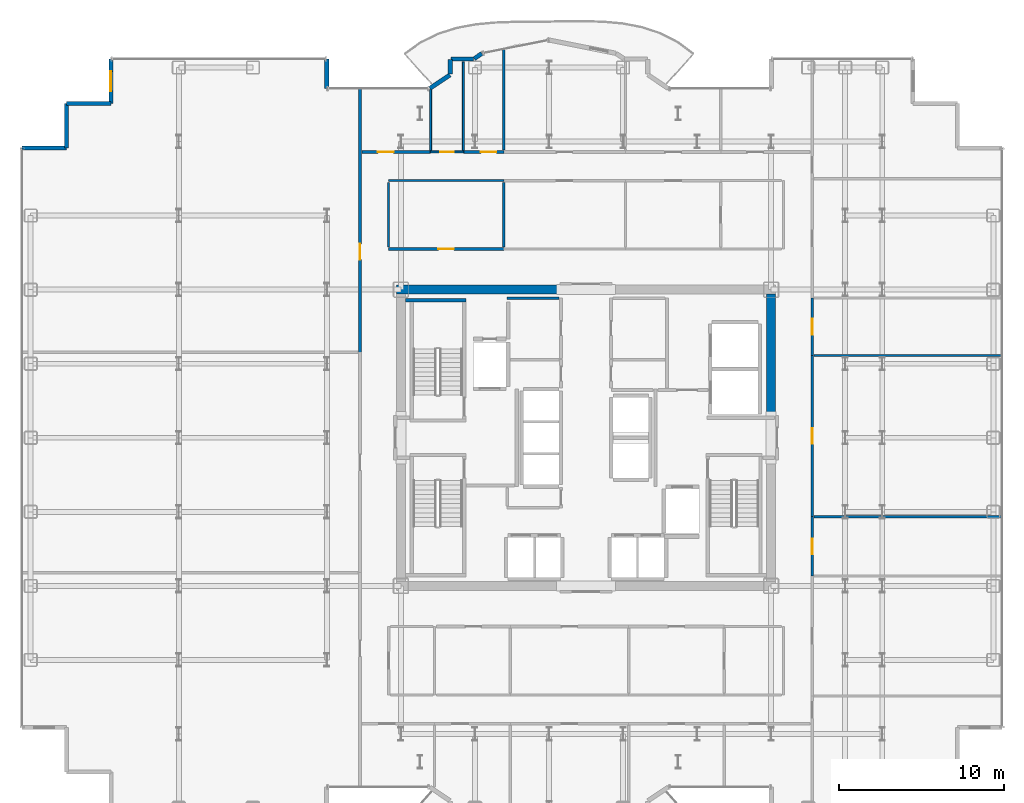
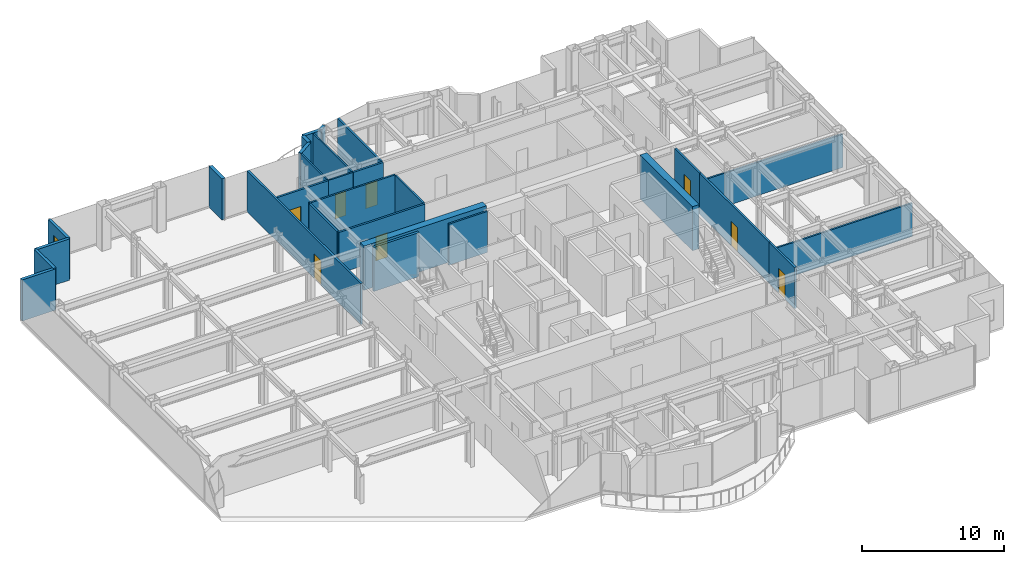
# One storey, part 19 of 23: 29 walls, 8 doors, 1 window, 9 openings.
"""IFC4 building model written with IfcOpenShell, lengths in metres."""

from ifc_helpers import new_model, si_unit, direction, frame, frame_2d, origin, place, context, subcontext, project, spatial, rectangle, extrude, source, transform, mapped, material, layer, layer_set, type_object, element, fill, save


model = new_model("IFC4")

# Units and contexts
model_context = context("Model", 3, precision=1e-05, world=origin(), true_north=direction((0.0, 1.0)))
body_context = subcontext(model_context, "Body", "Model", "MODEL_VIEW")
ifc_project = project(units=[si_unit("LENGTHUNIT", "METRE"), si_unit("AREAUNIT", "SQUARE_METRE"), si_unit("VOLUMEUNIT", "CUBIC_METRE"), si_unit("PLANEANGLEUNIT", "RADIAN"), si_unit("MASSUNIT", "GRAM", prefix="KILO")], contexts=[model_context])

# Site, building, storey
site_placement = place(None, origin())
site = spatial("IfcSite", under=ifc_project, at=site_placement, CompositionType="ELEMENT")
building_placement = place(site_placement, origin())
building = spatial("IfcBuilding", under=site, at=building_placement, Name="Nefas-Gora Pilgrimage Tower", CompositionType="ELEMENT")
storey_placement = place(building_placement, frame((0.0, 0.0, 156.39990234375)))
storey = spatial("IfcBuildingStorey", under=building, at=storey_placement, Name="L38", CompositionType="ELEMENT", Elevation=156.39990234375)

# Walls
ifc_material_1 = material(Name="Concrete C60/75", Category="concrete")
ifc_layer_1 = layer(ifc_material_1, 0.550048828125)
ifc_layer_set_1 = layer_set([ifc_layer_1], Name="Concrete C60/75")
wall_type_1 = type_object("IfcWallType", Name="SW-CORE-550", PredefinedType="SHEAR", material=ifc_layer_set_1)
shared_shape_1 = source(origin(), body_context, "Body", "SweptSolid", [
    extrude(rectangle(XDim=9.974853515625, YDim=0.550048828125, at=frame_2d((4.9873046875, 0.0))), origin(), (0.0, 0.0, 1.0), 3.800048828125),
])
wall_1_placement = place(storey_placement, frame((-11.52490234375, 9.0, 0.0), z_axis=(0.0, 0.0, 1.0), x_axis=(1.0, 0.0, 0.0)))
element("IfcWall", 1, at=wall_1_placement, inside=storey, type_object=wall_type_1, Name="L38 Core Shear Wall N-West", PredefinedType="SHEAR", context=body_context, shape_type="MappedRepresentation", body=[
    mapped(shared_shape_1, transform((0.0, 0.0, 0.0), x_axis=(1.0, 0.0, 0.0), y_axis=(0.0, 1.0, 0.0), z_axis=(0.0, 0.0, 1.0), scale=1.0)),
])
shared_shape_2 = source(origin(), body_context, "Body", "SweptSolid", [
    extrude(rectangle(XDim=7.375, YDim=0.550048828125, at=frame_2d((3.6875, 0.0))), origin(), (0.0, 0.0, 1.0), 3.800048828125),
])
wall_2_placement = place(storey_placement, frame((11.25, 1.35009765625, 0.0), z_axis=(0.0, 0.0, 1.0), x_axis=(0.0, 1.0, 0.0)))
element("IfcWall", 2, at=wall_2_placement, inside=storey, type_object=wall_type_1, Name="L38 Core Shear Wall E-North", PredefinedType="SHEAR", context=body_context, shape_type="MappedRepresentation", body=[
    mapped(shared_shape_2, transform((0.0, 0.0, 0.0), x_axis=(1.0, 0.0, 0.0), y_axis=(0.0, 1.0, 0.0), z_axis=(0.0, 0.0, 1.0), scale=1.0)),
])
ifc_material_2 = material(Name="Precast concrete C40/50", Category="concrete")
ifc_layer_2 = layer(ifc_material_2, 0.260009765625)
ifc_layer_set_2 = layer_set([ifc_layer_2], Name="Precast concrete C40/50")
wall_type_2 = type_object("IfcWallType", Name="EW-PORTAL-260", PredefinedType="SOLIDWALL", material=ifc_layer_set_2)
shared_shape_3 = source(origin(), body_context, "Body", "SweptSolid", [
    extrude(rectangle(XDim=1.800048828125, YDim=0.260009765625, at=frame_2d((0.89990234375, 0.0))), origin(), (0.0, 0.0, 1.0), 3.550048828125),
])
wall_3_placement = place(storey_placement, frame((-15.75, 21.219970703125, 0.0), z_axis=(0.0, 0.0, 1.0), x_axis=(0.0, 1.0, 0.0)))
element("IfcWall", 3, at=wall_3_placement, inside=storey, type_object=wall_type_2, Name="L38 Lobe Shoulder Precast Spandrel Pier 20", PredefinedType="SOLIDWALL", context=body_context, shape_type="MappedRepresentation", body=[
    mapped(shared_shape_3, transform((0.0, 0.0, 0.0), x_axis=(1.0, 0.0, 0.0), y_axis=(0.0, 1.0, 0.0), z_axis=(0.0, 0.0, 1.0), scale=1.0)),
])

# Wall, opening, window
ifc_material_3 = material(Name="Precast concrete C45/55", Category="concrete")
ifc_layer_3 = layer(ifc_material_3, 0.239990234375)
ifc_layer_set_3 = layer_set([ifc_layer_3], Name="Precast concrete C45/55")
wall_type_3 = type_object("IfcWallType", Name="EW-SERR-240", PredefinedType="SHEAR", material=ifc_layer_set_3)
shared_shape_4 = source(origin(), body_context, "Body", "SweptSolid", [
    extrude(rectangle(XDim=2.699951171875, YDim=0.239990234375, at=frame_2d((1.35009765625, 0.0))), origin(), (0.0, 0.0, 1.0), 3.550048828125),
])
wall_4_placement = place(storey_placement, frame((-28.8701171875, 23.02001953125, 0.0), z_axis=(0.0, 0.0, 1.0), x_axis=(0.0, -1.0, 0.0)))
wall_4 = element("IfcWall", 4, at=wall_4_placement, inside=storey, type_object=wall_type_3, Name="L38 Serrated Corner Shear Pier Wall 21", PredefinedType="SHEAR", context=body_context, shape_type="MappedRepresentation", body=[
    mapped(shared_shape_4, transform((0.0, 0.0, 0.0), x_axis=(1.0, 0.0, 0.0), y_axis=(0.0, 1.0, 0.0), z_axis=(0.0, 0.0, 1.0), scale=1.0)),
])
opening_1_placement = place(wall_4_placement, frame((0.75, 0.0, 0.85009765625)))
opening_1 = element("IfcOpeningElement", 5, at=opening_1_placement, cuts=wall_4, Name="Opening W-V1", PredefinedType="OPENING", context=body_context, shape_type="SweptSolid", body=[
    extrude(rectangle(XDim=1.199951171875, YDim=1.800048828125, at=frame_2d((0.60009765625, 0.89990234375))), frame((0.0, 0.1298828125, 0.0), z_axis=(0.0, -1.0, 0.0), x_axis=(1.0, 0.0, 0.0)), (0.0, 0.0, 1.0), 0.260009765625),
])
ifc_material_4 = material(Name="Dark ceramic-fritted operable aluminium-glass window", Category="aluminium")
window_type = type_object("IfcWindowType", Name="WIN-VENT-1200x1800", PartitioningType="SINGLE_PANEL", PredefinedType="WINDOW", material=ifc_material_4)
shared_shape_5 = source(origin(), body_context, "Body", "SweptSolid", [
    extrude(rectangle(XDim=1.199951171875, YDim=1.800048828125, at=frame_2d((0.60009765625, 0.89990234375))), frame((0.0, 0.030029296875, 0.0), z_axis=(0.0, -1.0, 0.0), x_axis=(1.0, 0.0, 0.0)), (0.0, 0.0, 1.0), 0.06005859375),
])
window_placement = place(opening_1_placement, origin())
window = element("IfcWindow", 6, at=window_placement, inside=storey, type_object=window_type, Name="L38 Operable Parallel-Outswing Window 21", OverallHeight=1.800048828125, OverallWidth=1.199951171875, PartitioningType="SINGLE_PANEL", PredefinedType="WINDOW", context=body_context, shape_type="MappedRepresentation", body=[
    mapped(shared_shape_5, transform((0.0, 0.0, 0.0), x_axis=(1.0, 0.0, 0.0), y_axis=(0.0, 1.0, 0.0), z_axis=(0.0, 0.0, 1.0), scale=1.0)),
])
fill(opening_1, window)

# Walls
for number, where, z_axis, x_axis, name in (
    (7, (-28.8701171875, 20.320068359375, 0.0), (0.0, 0.0, 1.0), (-1.0, 0.0, 0.0), "L38 Serrated Corner Shear Pier Wall 22"),
    (8, (-31.570068359375, 20.320068359375, 0.0), (0.0, 0.0, 1.0), (0.0, -1.0, 0.0), "L38 Serrated Corner Shear Pier Wall 23"),
    (9, (-31.570068359375, 17.6201171875, 0.0), (0.0, 0.0, 1.0), (-1.0, 0.0, 0.0), "L38 Serrated Corner Shear Pier Wall 24"),
):
    element("IfcWall", number, at=place(storey_placement, frame(where, z_axis=z_axis, x_axis=x_axis)), inside=storey, type_object=wall_type_3, Name=name, PredefinedType="SHEAR", context=body_context, shape_type="MappedRepresentation", body=[
        mapped(shared_shape_4, transform((0.0, 0.0, 0.0), x_axis=(1.0, 0.0, 0.0), y_axis=(0.0, 1.0, 0.0), z_axis=(0.0, 0.0, 1.0), scale=1.0)),
    ])
shared_shape_6 = source(origin(), body_context, "Body", "SweptSolid", [
    extrude(rectangle(XDim=1.468994140625, YDim=0.260009765625, at=frame_2d((0.734375, 0.0))), origin(), (0.0, 0.0, 1.0), 3.550048828125),
])
wall_5_placement = place(storey_placement, frame((-8.273193359375, 22.0517578125, 0.0), z_axis=(0.0, 0.0, 1.0), x_axis=(-0.831461760506, -0.555581983884, 0.0)))
element("IfcWall", 10, at=wall_5_placement, inside=storey, type_object=wall_type_2, Name="L38 Lobe Shoulder Precast Spandrel Pier 19", PredefinedType="SOLIDWALL", context=body_context, shape_type="MappedRepresentation", body=[
    mapped(shared_shape_6, transform((0.0, 0.0, 0.0), x_axis=(1.0, 0.0, 0.0), y_axis=(0.0, 1.0, 0.0), z_axis=(0.0, 0.0, 1.0), scale=1.0)),
])
shared_shape_7 = source(origin(), body_context, "Body", "SweptSolid", [
    extrude(rectangle(XDim=0.896728515625, YDim=0.260009765625, at=frame_2d((0.4482421875, 0.0))), origin(), (0.0, 0.0, 1.0), 3.550048828125),
])
wall_6_placement = place(storey_placement, frame((-8.25, 22.991943359375, 0.0), z_axis=(0.0, 0.0, 1.0), x_axis=(0.0, -1.0, 0.0)))
element("IfcWall", 11, at=wall_6_placement, inside=storey, type_object=wall_type_2, Name="L38 Lobe Shoulder Precast Spandrel Pier 18", PredefinedType="SOLIDWALL", context=body_context, shape_type="MappedRepresentation", body=[
    mapped(shared_shape_7, transform((0.0, 0.0, 0.0), x_axis=(1.0, 0.0, 0.0), y_axis=(0.0, 1.0, 0.0), z_axis=(0.0, 0.0, 1.0), scale=1.0)),
])
shared_shape_8 = source(origin(), body_context, "Body", "SweptSolid", [
    extrude(rectangle(XDim=1.369873046875, YDim=0.260009765625, at=frame_2d((0.68505859375, 0.0))), origin(), (0.0, 0.0, 1.0), 3.550048828125),
])
wall_7_placement = place(storey_placement, frame((-6.85205078125, 23.02001953125, 0.0), z_axis=(0.0, 0.0, 1.0), x_axis=(-1.0, 0.0, 0.0)))
element("IfcWall", 12, at=wall_7_placement, inside=storey, type_object=wall_type_2, Name="L38 Lobe Shoulder Precast Spandrel Pier 17", PredefinedType="SOLIDWALL", context=body_context, shape_type="MappedRepresentation", body=[
    mapped(shared_shape_8, transform((0.0, 0.0, 0.0), x_axis=(1.0, 0.0, 0.0), y_axis=(0.0, 1.0, 0.0), z_axis=(0.0, 0.0, 1.0), scale=1.0)),
])
shared_shape_9 = source(origin(), body_context, "Body", "SweptSolid", [
    extrude(rectangle(XDim=0.5654296875, YDim=0.260009765625, at=frame_2d((0.28271484375, 0.0))), origin(), (0.0, 0.0, 1.0), 3.550048828125),
])
wall_8_placement = place(storey_placement, frame((-6.33056640625, 23.349609375, 0.0), z_axis=(0.0, 0.0, 1.0), x_axis=(-0.831651492666, -0.555297933317, 0.0)))
element("IfcWall", 13, at=wall_8_placement, inside=storey, type_object=wall_type_2, Name="L38 Lobe Shoulder Precast Spandrel Pier 16", PredefinedType="SOLIDWALL", context=body_context, shape_type="MappedRepresentation", body=[
    mapped(shared_shape_9, transform((0.0, 0.0, 0.0), x_axis=(1.0, 0.0, 0.0), y_axis=(0.0, 1.0, 0.0), z_axis=(0.0, 0.0, 1.0), scale=1.0)),
])
ifc_material_5 = material(Name="Concrete C45/55", Category="concrete")
ifc_layer_4 = layer(ifc_material_5, 0.199951171875)
ifc_layer_set_4 = layer_set([ifc_layer_4], Name="Concrete C45/55")
wall_type_4 = type_object("IfcWallType", Name="IW-STAIR-200", PredefinedType="SOLIDWALL", material=ifc_layer_set_4)
shared_shape_10 = source(origin(), body_context, "Body", "SweptSolid", [
    extrude(rectangle(XDim=3.679931640625, YDim=0.199951171875, at=frame_2d((1.83984375, 0.0))), origin(), (0.0, 0.0, 1.0), 3.800048828125),
])
wall_9_placement = place(storey_placement, frame((-7.300048828125, 8.35009765625, 0.0), z_axis=(0.0, 0.0, 1.0), x_axis=(-1.0, 0.0, 0.0)))
element("IfcWall", 14, at=wall_9_placement, inside=storey, type_object=wall_type_4, Name="L38 Stairwell Shear Wall ST-01-far", PredefinedType="SOLIDWALL", context=body_context, shape_type="MappedRepresentation", body=[
    mapped(shared_shape_10, transform((0.0, 0.0, 0.0), x_axis=(1.0, 0.0, 0.0), y_axis=(0.0, 1.0, 0.0), z_axis=(0.0, 0.0, 1.0), scale=1.0)),
])
ifc_material_6 = material(Name="Gypsum twin-stud partition")
ifc_layer_5 = layer(ifc_material_6, 0.139892578125)
ifc_layer_set_5 = layer_set([ifc_layer_5], Name="Gypsum twin-stud partition")
wall_type_5 = type_object("IfcWallType", Name="IW-UNIT-140", PredefinedType="PARTITIONING", material=ifc_layer_set_5)
shared_shape_11 = source(origin(), body_context, "Body", "SweptSolid", [
    extrude(rectangle(XDim=3.150146484375, YDim=0.139892578125, at=frame_2d((1.5751953125, 0.0))), origin(), (0.0, 0.0, 1.0), 3.53515625),
])
wall_10_placement = place(storey_placement, frame((-4.7900390625, 8.47998046875, 0.0), z_axis=(0.0, 0.0, 1.0), x_axis=(1.0, 0.0, 0.0)))
element("IfcWall", 15, at=wall_10_placement, inside=storey, type_object=wall_type_5, Name="L38 Archival Supply Store Partition Wall 21", PredefinedType="PARTITIONING", context=body_context, shape_type="MappedRepresentation", body=[
    mapped(shared_shape_11, transform((0.0, 0.0, 0.0), x_axis=(1.0, 0.0, 0.0), y_axis=(0.0, 1.0, 0.0), z_axis=(0.0, 0.0, 1.0), scale=1.0)),
])

# Wall, opening, door
ifc_material_7 = material(Name="Moisture-resistant fire-rated gypsum partition")
ifc_layer_6 = layer(ifc_material_7, 0.1201171875)
ifc_layer_set_6 = layer_set([ifc_layer_6], Name="Moisture-resistant fire-rated gypsum partition")
wall_type_6 = type_object("IfcWallType", Name="IW-WET-120", PredefinedType="PLUMBINGWALL", material=ifc_layer_set_6)
shared_shape_12 = source(origin(), body_context, "Body", "SweptSolid", [
    extrude(rectangle(XDim=2.02001953125, YDim=0.1201171875, at=frame_2d((1.010009765625, 0.0))), origin(), (0.0, 0.0, 1.0), 3.53515625),
])
wall_11_placement = place(storey_placement, frame((-9.4599609375, 17.3701171875, 0.0), z_axis=(0.0, 0.0, 1.0), x_axis=(1.0, 0.0, 0.0)))
wall_11 = element("IfcWall", 16, at=wall_11_placement, inside=storey, type_object=wall_type_6, Name="L38 Accessible Unisex WC Partition Wall 29", PredefinedType="PLUMBINGWALL", context=body_context, shape_type="MappedRepresentation", body=[
    mapped(shared_shape_12, transform((0.0, 0.0, 0.0), x_axis=(1.0, 0.0, 0.0), y_axis=(0.0, 1.0, 0.0), z_axis=(0.0, 0.0, 1.0), scale=1.0)),
])
opening_2_placement = place(wall_11_placement, frame((0.5849609375, 0.0, 0.0)))
opening_2 = element("IfcOpeningElement", 17, at=opening_2_placement, cuts=wall_11, Name="Opening ID-BT1", PredefinedType="OPENING", context=body_context, shape_type="SweptSolid", body=[
    extrude(rectangle(XDim=0.85009765625, YDim=2.10009765625, at=frame_2d((0.425048828125, 1.050048828125))), frame((0.0, 0.070068359375, 0.0), z_axis=(0.0, -1.0, 0.0), x_axis=(1.0, 0.0, 0.0)), (0.0, 0.0, 1.0), 0.14013671875),
])
ifc_material_8 = material(Name="Moisture-resistant fire-rated timber door", Category="wood")
door_type_1 = type_object("IfcDoorType", Name="DR-INT-BATH-850", OperationType="NOTDEFINED", PredefinedType="DOOR", material=ifc_material_8)
shared_shape_13 = source(origin(), body_context, "Body", "SweptSolid", [
    extrude(rectangle(XDim=0.85009765625, YDim=2.10009765625, at=frame_2d((0.425048828125, 1.050048828125))), frame((0.0, 0.02490234375, 0.0), z_axis=(0.0, -1.0, 0.0), x_axis=(1.0, 0.0, 0.0)), (0.0, 0.0, 1.0), 0.050048828125),
])
door_1_placement = place(opening_2_placement, origin())
door_1 = element("IfcDoor", 18, at=door_1_placement, inside=storey, type_object=door_type_1, Name="L38 Accessible Unisex WC Door 12", OperationType="SINGLE_SWING_RIGHT", OverallHeight=2.10009765625, OverallWidth=0.85009765625, PredefinedType="DOOR", context=body_context, shape_type="MappedRepresentation", body=[
    mapped(shared_shape_13, transform((0.0, 0.0, 0.0), x_axis=(1.0, 0.0, 0.0), y_axis=(0.0, 1.0, 0.0), z_axis=(0.0, 0.0, 1.0), scale=1.0)),
])
fill(opening_2, door_1)

ifc_material_9 = material(Name="Gypsum acoustic stud partition")
ifc_layer_7 = layer(ifc_material_9, 0.159912109375)
ifc_layer_set_7 = layer_set([ifc_layer_7], Name="Gypsum acoustic stud partition")
wall_type_7 = type_object("IfcWallType", Name="IW-CORR-160", PredefinedType="PARTITIONING", material=ifc_layer_set_7)
shared_shape_14 = source(origin(), body_context, "Body", "SweptSolid", [
    extrude(rectangle(XDim=3.610107421875, YDim=0.159912109375, at=frame_2d((1.80517578125, 0.0))), origin(), (0.0, 0.0, 1.0), 3.53515625),
])
wall_12_placement = place(storey_placement, frame((13.739990234375, -8.405029296875, 0.0), z_axis=(0.0, 0.0, 1.0), x_axis=(0.0, 1.0, 0.0)))
wall_12 = element("IfcWall", 19, at=wall_12_placement, inside=storey, type_object=wall_type_7, Name="L38 Pastoral Chaplains Counselling Office Partition Wall 41", PredefinedType="PARTITIONING", context=body_context, shape_type="MappedRepresentation", body=[
    mapped(shared_shape_14, transform((0.0, 0.0, 0.0), x_axis=(1.0, 0.0, 0.0), y_axis=(0.0, 1.0, 0.0), z_axis=(0.0, 0.0, 1.0), scale=1.0)),
])
opening_3_placement = place(wall_12_placement, frame((1.330078125, 0.0, 0.0)))
opening_3 = element("IfcOpeningElement", 20, at=opening_3_placement, cuts=wall_12, Name="Opening ID-GR1", PredefinedType="OPENING", context=body_context, shape_type="SweptSolid", body=[
    extrude(rectangle(XDim=0.949951171875, YDim=2.10009765625, at=frame_2d((0.47509765625, 1.050048828125))), frame((0.0, 0.08984375, 0.0), z_axis=(0.0, -1.0, 0.0), x_axis=(1.0, 0.0, 0.0)), (0.0, 0.0, 1.0), 0.179931640625),
])
ifc_material_10 = material(Name="Solid core oak fire-rated guest entrance door")
door_type_2 = type_object("IfcDoorType", Name="DR-INT-GUEST-950", OperationType="NOTDEFINED", PredefinedType="DOOR", material=ifc_material_10)
shared_shape_15 = source(origin(), body_context, "Body", "SweptSolid", [
    extrude(rectangle(XDim=0.949951171875, YDim=2.10009765625, at=frame_2d((0.47509765625, 1.050048828125))), frame((0.0, 0.02490234375, 0.0), z_axis=(0.0, -1.0, 0.0), x_axis=(1.0, 0.0, 0.0)), (0.0, 0.0, 1.0), 0.050048828125),
])
door_2_placement = place(opening_3_placement, origin())
door_2 = element("IfcDoor", 21, at=door_2_placement, inside=storey, type_object=door_type_2, Name="L38 Pastoral Chaplains Counselling Office Door 18", OperationType="SINGLE_SWING_RIGHT", OverallHeight=2.10009765625, OverallWidth=0.949951171875, PredefinedType="DOOR", context=body_context, shape_type="MappedRepresentation", body=[
    mapped(shared_shape_15, transform((0.0, 0.0, 0.0), x_axis=(1.0, 0.0, 0.0), y_axis=(0.0, 1.0, 0.0), z_axis=(0.0, 0.0, 1.0), scale=1.0)),
])
fill(opening_3, door_2)

# Walls
shared_shape_16 = source(origin(), body_context, "Body", "SweptSolid", [
    extrude(rectangle(XDim=11.429931640625, YDim=0.139892578125, at=frame_2d((5.71484375, 0.0))), origin(), (0.0, 0.0, 1.0), 2.875),
])
for number, where, z_axis, x_axis, name in (
    (22, (13.860107421875, -4.804931640625, 0.0), (0.0, 0.0, 1.0), (1.0, 0.0, 0.0), "L38 Pastoral Chaplains Counselling Office Partition Wall 42"),
    (23, (13.860107421875, 4.9951171875, 0.0), (0.0, 0.0, 1.0), (1.0, 0.0, 0.0), "L38 Pilgrim Contemplative Lounge Partition Wall 44"),
):
    element("IfcWall", number, at=place(storey_placement, frame(where, z_axis=z_axis, x_axis=x_axis)), inside=storey, type_object=wall_type_5, Name=name, PredefinedType="PARTITIONING", context=body_context, shape_type="MappedRepresentation", body=[
        mapped(shared_shape_16, transform((0.0, 0.0, 0.0), x_axis=(1.0, 0.0, 0.0), y_axis=(0.0, 1.0, 0.0), z_axis=(0.0, 0.0, 1.0), scale=1.0)),
    ])
shared_shape_17 = source(origin(), body_context, "Body", "SweptSolid", [
    extrude(rectangle(XDim=5.380126953125, YDim=0.1201171875, at=frame_2d((2.68994140625, 0.0))), origin(), (0.0, 0.0, 1.0), 3.53515625),
])
wall_13_placement = place(storey_placement, frame((-7.449951171875, 17.469970703125, 0.0), z_axis=(0.0, 0.0, 1.0), x_axis=(0.0, 1.0, 0.0)))
element("IfcWall", 24, at=wall_13_placement, inside=storey, type_object=wall_type_6, Name="L38 Accessible Unisex WC Partition Wall 30", PredefinedType="PLUMBINGWALL", context=body_context, shape_type="MappedRepresentation", body=[
    mapped(shared_shape_17, transform((0.0, 0.0, 0.0), x_axis=(1.0, 0.0, 0.0), y_axis=(0.0, 1.0, 0.0), z_axis=(0.0, 0.0, 1.0), scale=1.0)),
])
shared_shape_18 = source(origin(), body_context, "Body", "SweptSolid", [
    extrude(rectangle(XDim=3.686767578125, YDim=0.1201171875, at=frame_2d((1.84326171875, 0.0))), origin(), (0.0, 0.0, 1.0), 3.53515625),
])
wall_14_placement = place(storey_placement, frame((-9.449951171875, 17.469970703125, 0.0), z_axis=(0.0, 0.0, 1.0), x_axis=(0.0, 1.0, 0.0)))
element("IfcWall", 25, at=wall_14_placement, inside=storey, type_object=wall_type_6, Name="L38 Accessible Unisex WC Partition Wall 31", PredefinedType="PLUMBINGWALL", context=body_context, shape_type="MappedRepresentation", body=[
    mapped(shared_shape_18, transform((0.0, 0.0, 0.0), x_axis=(1.0, 0.0, 0.0), y_axis=(0.0, 1.0, 0.0), z_axis=(0.0, 0.0, 1.0), scale=1.0)),
])

# Wall, opening, door
shared_shape_19 = source(origin(), body_context, "Body", "SweptSolid", [
    extrude(rectangle(XDim=16.044921875, YDim=0.159912109375, at=frame_2d((8.0224609375, 0.0))), origin(), (0.0, 0.0, 1.0), 3.53515625),
])
wall_15_placement = place(storey_placement, frame((-13.739990234375, 5.195068359375, 0.0), z_axis=(0.0, 0.0, 1.0), x_axis=(0.0, 1.0, 0.0)))
wall_15 = element("IfcWall", 26, at=wall_15_placement, inside=storey, type_object=wall_type_7, Name="L38 Pilgrim Contemplative Lounge Partition Wall 36", PredefinedType="PARTITIONING", context=body_context, shape_type="MappedRepresentation", body=[
    mapped(shared_shape_19, transform((0.0, 0.0, 0.0), x_axis=(1.0, 0.0, 0.0), y_axis=(0.0, 1.0, 0.0), z_axis=(0.0, 0.0, 1.0), scale=1.0)),
])
opening_4_placement = place(wall_15_placement, frame((5.632568359375, 0.0, 0.0)))
opening_4 = element("IfcOpeningElement", 27, at=opening_4_placement, cuts=wall_15, Name="Opening ID-GR1", PredefinedType="OPENING", context=body_context, shape_type="SweptSolid", body=[
    extrude(rectangle(XDim=0.949951171875, YDim=2.10009765625, at=frame_2d((0.47509765625, 1.050048828125))), frame((0.0, 0.08984375, 0.0), z_axis=(0.0, -1.0, 0.0), x_axis=(1.0, 0.0, 0.0)), (0.0, 0.0, 1.0), 0.179931640625),
])
door_3_placement = place(opening_4_placement, origin())
door_3 = element("IfcDoor", 28, at=door_3_placement, inside=storey, type_object=door_type_2, Name="L38 Pilgrim Contemplative Lounge Door 15", OperationType="SINGLE_SWING_LEFT", OverallHeight=2.10009765625, OverallWidth=0.949951171875, PredefinedType="DOOR", context=body_context, shape_type="MappedRepresentation", body=[
    mapped(shared_shape_15, transform((0.0, 0.0, 0.0), x_axis=(1.0, 0.0, 0.0), y_axis=(0.0, 1.0, 0.0), z_axis=(0.0, 0.0, 1.0), scale=1.0)),
])
fill(opening_4, door_3)

shared_shape_20 = source(origin(), body_context, "Body", "SweptSolid", [
    extrude(rectangle(XDim=9.809814453125, YDim=0.159912109375, at=frame_2d((4.90478515625, 0.0))), origin(), (0.0, 0.0, 1.0), 3.53515625),
])
wall_16_placement = place(storey_placement, frame((13.739990234375, -4.804931640625, 0.0), z_axis=(0.0, 0.0, 1.0), x_axis=(0.0, 1.0, 0.0)))
wall_16 = element("IfcWall", 29, at=wall_16_placement, inside=storey, type_object=wall_type_7, Name="L38 Pilgrim Contemplative Lounge Partition Wall 43", PredefinedType="PARTITIONING", context=body_context, shape_type="MappedRepresentation", body=[
    mapped(shared_shape_20, transform((0.0, 0.0, 0.0), x_axis=(1.0, 0.0, 0.0), y_axis=(0.0, 1.0, 0.0), z_axis=(0.0, 0.0, 1.0), scale=1.0)),
])
opening_5_placement = place(wall_16_placement, frame((4.429931640625, 0.0, 0.0)))
opening_5 = element("IfcOpeningElement", 30, at=opening_5_placement, cuts=wall_16, Name="Opening ID-GR1", PredefinedType="OPENING", context=body_context, shape_type="SweptSolid", body=[
    extrude(rectangle(XDim=0.949951171875, YDim=2.10009765625, at=frame_2d((0.47509765625, 1.050048828125))), frame((0.0, 0.08984375, 0.0), z_axis=(0.0, -1.0, 0.0), x_axis=(1.0, 0.0, 0.0)), (0.0, 0.0, 1.0), 0.179931640625),
])
door_4_placement = place(opening_5_placement, origin())
door_4 = element("IfcDoor", 31, at=door_4_placement, inside=storey, type_object=door_type_2, Name="L38 Pilgrim Contemplative Lounge Door 19", OperationType="SINGLE_SWING_LEFT", OverallHeight=2.10009765625, OverallWidth=0.949951171875, PredefinedType="DOOR", context=body_context, shape_type="MappedRepresentation", body=[
    mapped(shared_shape_15, transform((0.0, 0.0, 0.0), x_axis=(1.0, 0.0, 0.0), y_axis=(0.0, 1.0, 0.0), z_axis=(0.0, 0.0, 1.0), scale=1.0)),
])
fill(opening_5, door_4)

shared_shape_21 = source(origin(), body_context, "Body", "SweptSolid", [
    extrude(rectangle(XDim=3.509765625, YDim=0.159912109375, at=frame_2d((1.7548828125, 0.0))), origin(), (0.0, 0.0, 1.0), 3.53515625),
])
wall_17_placement = place(storey_placement, frame((13.739990234375, 4.9951171875, 0.0), z_axis=(0.0, 0.0, 1.0), x_axis=(0.0, 1.0, 0.0)))
wall_17 = element("IfcWall", 32, at=wall_17_placement, inside=storey, type_object=wall_type_7, Name="L38 Scripture Reading Study Partition Wall 45", PredefinedType="PARTITIONING", context=body_context, shape_type="MappedRepresentation", body=[
    mapped(shared_shape_21, transform((0.0, 0.0, 0.0), x_axis=(1.0, 0.0, 0.0), y_axis=(0.0, 1.0, 0.0), z_axis=(0.0, 0.0, 1.0), scale=1.0)),
])
opening_6_placement = place(wall_17_placement, frame((1.280029296875, 0.0, 0.0)))
opening_6 = element("IfcOpeningElement", 33, at=opening_6_placement, cuts=wall_17, Name="Opening ID-GR1", PredefinedType="OPENING", context=body_context, shape_type="SweptSolid", body=[
    extrude(rectangle(XDim=0.949951171875, YDim=2.10009765625, at=frame_2d((0.47509765625, 1.050048828125))), frame((0.0, 0.08984375, 0.0), z_axis=(0.0, -1.0, 0.0), x_axis=(1.0, 0.0, 0.0)), (0.0, 0.0, 1.0), 0.179931640625),
])
door_5_placement = place(opening_6_placement, origin())
door_5 = element("IfcDoor", 34, at=door_5_placement, inside=storey, type_object=door_type_2, Name="L38 Scripture Reading Study Door 20", OperationType="SINGLE_SWING_RIGHT", OverallHeight=2.10009765625, OverallWidth=0.949951171875, PredefinedType="DOOR", context=body_context, shape_type="MappedRepresentation", body=[
    mapped(shared_shape_15, transform((0.0, 0.0, 0.0), x_axis=(1.0, 0.0, 0.0), y_axis=(0.0, 1.0, 0.0), z_axis=(0.0, 0.0, 1.0), scale=1.0)),
])
fill(opening_6, door_5)

shared_shape_22 = source(origin(), body_context, "Body", "SweptSolid", [
    extrude(rectangle(XDim=7.014892578125, YDim=0.159912109375, at=frame_2d((3.50732421875, 0.0))), origin(), (0.0, 0.0, 1.0), 3.53515625),
])
wall_18_placement = place(storey_placement, frame((-12.010009765625, 11.469970703125, 0.0), z_axis=(0.0, 0.0, 1.0), x_axis=(1.0, 0.0, 0.0)))
wall_18 = element("IfcWall", 35, at=wall_18_placement, inside=storey, type_object=wall_type_7, Name="L38 Pilgrim Contemplative Lounge Partition Wall 50", PredefinedType="PARTITIONING", context=body_context, shape_type="MappedRepresentation", body=[
    mapped(shared_shape_22, transform((0.0, 0.0, 0.0), x_axis=(1.0, 0.0, 0.0), y_axis=(0.0, 1.0, 0.0), z_axis=(0.0, 0.0, 1.0), scale=1.0)),
])
opening_7_placement = place(wall_18_placement, frame((3.032470703125, 0.0, 0.0)))
opening_7 = element("IfcOpeningElement", 36, at=opening_7_placement, cuts=wall_18, Name="Opening ID-GR1", PredefinedType="OPENING", context=body_context, shape_type="SweptSolid", body=[
    extrude(rectangle(XDim=0.949951171875, YDim=2.10009765625, at=frame_2d((0.47509765625, 1.050048828125))), frame((0.0, 0.08984375, 0.0), z_axis=(0.0, -1.0, 0.0), x_axis=(1.0, 0.0, 0.0)), (0.0, 0.0, 1.0), 0.179931640625),
])
door_6_placement = place(opening_7_placement, origin())
door_6 = element("IfcDoor", 37, at=door_6_placement, inside=storey, type_object=door_type_2, Name="L38 Pilgrim Contemplative Lounge Door 23", OperationType="SINGLE_SWING_LEFT", OverallHeight=2.10009765625, OverallWidth=0.949951171875, PredefinedType="DOOR", context=body_context, shape_type="MappedRepresentation", body=[
    mapped(shared_shape_15, transform((0.0, 0.0, 0.0), x_axis=(1.0, 0.0, 0.0), y_axis=(0.0, 1.0, 0.0), z_axis=(0.0, 0.0, 1.0), scale=1.0)),
])
fill(opening_7, door_6)

# Walls
shared_shape_23 = source(origin(), body_context, "Body", "SweptSolid", [
    extrude(rectangle(XDim=7.014892578125, YDim=0.139892578125, at=frame_2d((3.50732421875, 0.0))), origin(), (0.0, 0.0, 1.0), 3.53515625),
])
wall_19_placement = place(storey_placement, frame((-12.010009765625, 15.6298828125, 0.0), z_axis=(0.0, 0.0, 1.0), x_axis=(1.0, 0.0, 0.0)))
element("IfcWall", 38, at=wall_19_placement, inside=storey, type_object=wall_type_5, Name="L38 Pilgrim Contemplative Lounge Partition Wall 51", PredefinedType="PARTITIONING", context=body_context, shape_type="MappedRepresentation", body=[
    mapped(shared_shape_23, transform((0.0, 0.0, 0.0), x_axis=(1.0, 0.0, 0.0), y_axis=(0.0, 1.0, 0.0), z_axis=(0.0, 0.0, 1.0), scale=1.0)),
])
shared_shape_24 = source(origin(), body_context, "Body", "SweptSolid", [
    extrude(rectangle(XDim=3.929931640625, YDim=0.139892578125, at=frame_2d((1.96484375, 0.0))), origin(), (0.0, 0.0, 1.0), 3.53515625),
])
for number, where, z_axis, x_axis, name in (
    (39, (-12.0, 11.590087890625, 0.0), (0.0, 0.0, 1.0), (0.0, 1.0, 0.0), "L38 Pilgrim Contemplative Lounge Partition Wall 52"),
    (40, (-5.0048828125, 11.590087890625, 0.0), (0.0, 0.0, 1.0), (0.0, 1.0, 0.0), "L38 Pilgrim Contemplative Lounge Partition Wall 53"),
):
    element("IfcWall", number, at=place(storey_placement, frame(where, z_axis=z_axis, x_axis=x_axis)), inside=storey, type_object=wall_type_5, Name=name, PredefinedType="PARTITIONING", context=body_context, shape_type="MappedRepresentation", body=[
        mapped(shared_shape_24, transform((0.0, 0.0, 0.0), x_axis=(1.0, 0.0, 0.0), y_axis=(0.0, 1.0, 0.0), z_axis=(0.0, 0.0, 1.0), scale=1.0)),
    ])

# Wall, opening, door
shared_shape_25 = source(origin(), body_context, "Body", "SweptSolid", [
    extrude(rectangle(XDim=2.44482421875, YDim=0.159912109375, at=frame_2d((1.222412109375, 0.0))), origin(), (0.0, 0.0, 1.0), 3.53515625),
])
wall_20_placement = place(storey_placement, frame((-7.43994140625, 17.3701171875, 0.0), z_axis=(0.0, 0.0, 1.0), x_axis=(1.0, 0.0, 0.0)))
wall_20 = element("IfcWall", 41, at=wall_20_placement, inside=storey, type_object=wall_type_7, Name="L38 Pilgrim Contemplative Lounge Partition Wall 54", PredefinedType="PARTITIONING", context=body_context, shape_type="MappedRepresentation", body=[
    mapped(shared_shape_25, transform((0.0, 0.0, 0.0), x_axis=(1.0, 0.0, 0.0), y_axis=(0.0, 1.0, 0.0), z_axis=(0.0, 0.0, 1.0), scale=1.0)),
])
opening_8_placement = place(wall_20_placement, frame((1.046630859375, 0.0, 0.0)))
opening_8 = element("IfcOpeningElement", 42, at=opening_8_placement, cuts=wall_20, Name="Opening ID-GR1", PredefinedType="OPENING", context=body_context, shape_type="SweptSolid", body=[
    extrude(rectangle(XDim=0.949951171875, YDim=2.10009765625, at=frame_2d((0.47509765625, 1.050048828125))), frame((0.0, 0.08984375, 0.0), z_axis=(0.0, -1.0, 0.0), x_axis=(1.0, 0.0, 0.0)), (0.0, 0.0, 1.0), 0.179931640625),
])
door_7_placement = place(opening_8_placement, origin())
door_7 = element("IfcDoor", 43, at=door_7_placement, inside=storey, type_object=door_type_2, Name="L38 Pilgrim Contemplative Lounge Door 24", OperationType="SINGLE_SWING_RIGHT", OverallHeight=2.10009765625, OverallWidth=0.949951171875, PredefinedType="DOOR", context=body_context, shape_type="MappedRepresentation", body=[
    mapped(shared_shape_15, transform((0.0, 0.0, 0.0), x_axis=(1.0, 0.0, 0.0), y_axis=(0.0, 1.0, 0.0), z_axis=(0.0, 0.0, 1.0), scale=1.0)),
])
fill(opening_8, door_7)

# Wall
shared_shape_26 = source(origin(), body_context, "Body", "SweptSolid", [
    extrude(rectangle(XDim=6.15673828125, YDim=0.139892578125, at=frame_2d((3.078369140625, 0.0))), origin(), (0.0, 0.0, 1.0), 3.53515625),
])
wall_21_placement = place(storey_placement, frame((-5.0048828125, 17.489990234375, 0.0), z_axis=(0.0, 0.0, 1.0), x_axis=(0.0, 1.0, 0.0)))
element("IfcWall", 44, at=wall_21_placement, inside=storey, type_object=wall_type_5, Name="L38 Pilgrim Contemplative Lounge Partition Wall 55", PredefinedType="PARTITIONING", context=body_context, shape_type="MappedRepresentation", body=[
    mapped(shared_shape_26, transform((0.0, 0.0, 0.0), x_axis=(1.0, 0.0, 0.0), y_axis=(0.0, 1.0, 0.0), z_axis=(0.0, 0.0, 1.0), scale=1.0)),
])

# Wall, opening, door
shared_shape_27 = source(origin(), body_context, "Body", "SweptSolid", [
    extrude(rectangle(XDim=4.16015625, YDim=0.159912109375, at=frame_2d((2.080078125, 0.0))), origin(), (0.0, 0.0, 1.0), 3.53515625),
])
wall_22_placement = place(storey_placement, frame((-13.6201171875, 17.3701171875, 0.0), z_axis=(0.0, 0.0, 1.0), x_axis=(1.0, 0.0, 0.0)))
wall_22 = element("IfcWall", 45, at=wall_22_placement, inside=storey, type_object=wall_type_7, Name="L38 Pilgrim Contemplative Lounge Partition Wall 56", PredefinedType="PARTITIONING", context=body_context, shape_type="MappedRepresentation", body=[
    mapped(shared_shape_27, transform((0.0, 0.0, 0.0), x_axis=(1.0, 0.0, 0.0), y_axis=(0.0, 1.0, 0.0), z_axis=(0.0, 0.0, 1.0), scale=1.0)),
])
opening_9_placement = place(wall_22_placement, frame((0.968994140625, 0.0, 0.0)))
opening_9 = element("IfcOpeningElement", 46, at=opening_9_placement, cuts=wall_22, Name="Opening ID-GR1", PredefinedType="OPENING", context=body_context, shape_type="SweptSolid", body=[
    extrude(rectangle(XDim=0.949951171875, YDim=2.10009765625, at=frame_2d((0.47509765625, 1.050048828125))), frame((0.0, 0.08984375, 0.0), z_axis=(0.0, -1.0, 0.0), x_axis=(1.0, 0.0, 0.0)), (0.0, 0.0, 1.0), 0.179931640625),
])
door_8_placement = place(opening_9_placement, origin())
door_8 = element("IfcDoor", 47, at=door_8_placement, inside=storey, type_object=door_type_2, Name="L38 Pilgrim Contemplative Lounge Door 25", OperationType="SINGLE_SWING_LEFT", OverallHeight=2.10009765625, OverallWidth=0.949951171875, PredefinedType="DOOR", context=body_context, shape_type="MappedRepresentation", body=[
    mapped(shared_shape_15, transform((0.0, 0.0, 0.0), x_axis=(1.0, 0.0, 0.0), y_axis=(0.0, 1.0, 0.0), z_axis=(0.0, 0.0, 1.0), scale=1.0)),
])
fill(opening_9, door_8)

save(model, "model.ifc")
